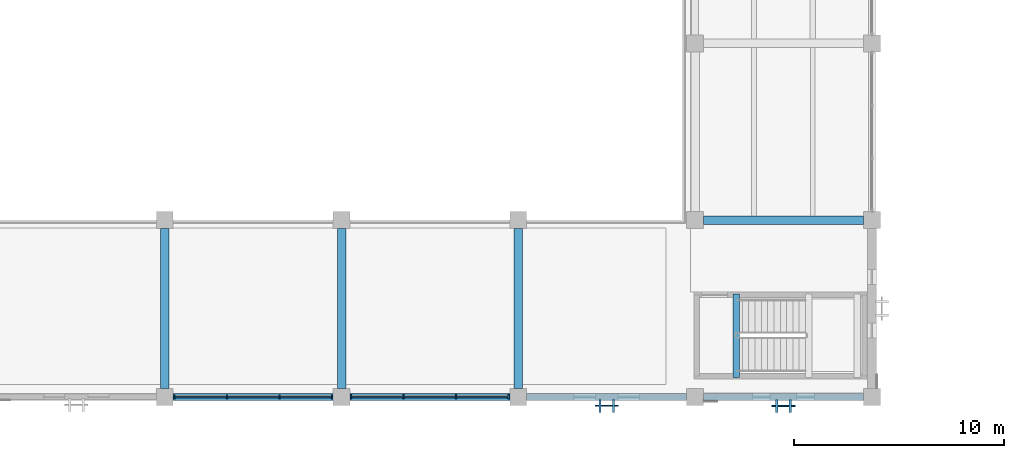
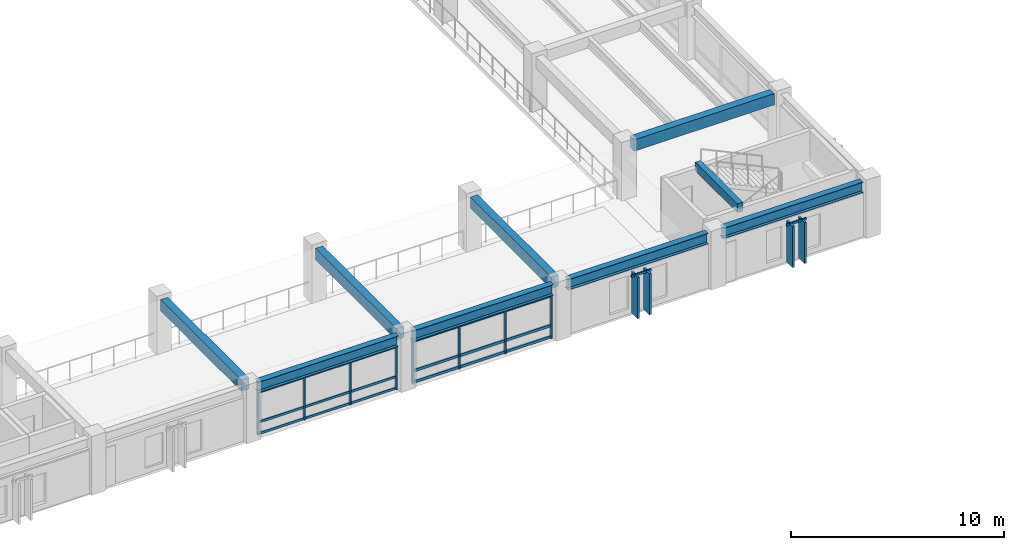
# One storey, part 8 of 111: 32 members, 9 beams, 4 elements without a shape of their own.
"""IFC4 building model written with IfcOpenShell, lengths in metres."""

import ifcopenshell
import ifcopenshell.guid

model = None  # the IFC model being written
_history = None  # IfcOwnerHistory: only IFC2X3 demands one
_inside = {}  # id of a spatial element -> (the spatial element, [elements in it])
_under = {}  # id of a project, library or spatial element -> (it, [spatial elements below it])
_declared = {}  # id of a project -> (the project, [libraries it declares])
_typed = {}  # id of a type object -> (the type object, [elements of that type])
_made_of = {}  # id of a material, layer set ... -> (it, [elements and type objects made of it])


def new_model(schema):
    """Start an empty IFC model of exactly this schema.

    Asked for "IFC4X3", IfcOpenShell would pick the latest addendum, in which some entities
    have other attributes; the version numbers below select the first issue.
    IFC2X3 requires an IfcOwnerHistory on every rooted entity: one is made here for all.
    """
    global model, _history
    if schema == "IFC4X3":
        model = ifcopenshell.file(schema_version=(4, 3, 0, 0))
    else:
        model = ifcopenshell.file(schema=schema)
    _inside.clear()
    _under.clear()
    _declared.clear()
    _typed.clear()
    _made_of.clear()
    _history = None
    if model.schema == "IFC2X3":
        org = make("IfcOrganization", Name="unknown")
        user = make(
            "IfcPersonAndOrganization",
            ThePerson=make("IfcPerson", FamilyName="unknown"),
            TheOrganization=org,
        )
        app = make(
            "IfcApplication",
            ApplicationDeveloper=org,
            Version="unknown",
            ApplicationFullName="unknown",
            ApplicationIdentifier="unknown",
        )
        _history = make(
            "IfcOwnerHistory",
            OwningUser=user,
            OwningApplication=app,
            ChangeAction="ADDED",
            CreationDate=0,
        )
    return model


def make(cls, **values):
    """One entity of the class cls with the attributes given. An attribute that is None is left unset."""
    return model.create_entity(
        cls, **{name: value for name, value in values.items() if value is not None}
    )


def rooted(cls, **values):
    """An entity with a GlobalId (a new one), such as an element, a storey or a relation."""
    return make(cls, GlobalId=ifcopenshell.guid.new(), OwnerHistory=_history, **values)


def si_unit(unit_type, name, prefix=None):
    """IfcSIUnit, for example si_unit("LENGTHUNIT", "METRE", prefix="MILLI")."""
    return make("IfcSIUnit", UnitType=unit_type, Prefix=prefix, Name=name)


def assignment(units):
    """IfcUnitAssignment: the units of a project."""
    return None if units is None else make("IfcUnitAssignment", Units=units)


def point(xyz):
    """IfcCartesianPoint."""
    return None if xyz is None else make("IfcCartesianPoint", Coordinates=xyz)


def direction(xyz):
    """IfcDirection."""
    return None if xyz is None else make("IfcDirection", DirectionRatios=xyz)


def frame(location, z_axis=None, x_axis=None):
    """IfcAxis2Placement3D, a coordinate frame: its origin and axes. An axis left out is left unset."""
    return make(
        "IfcAxis2Placement3D",
        Location=point(location),
        Axis=direction(z_axis),
        RefDirection=direction(x_axis),
    )


def frame_2d(location, x_axis=None):
    """IfcAxis2Placement2D, a coordinate frame in the plane: its origin and x axis."""
    return make(
        "IfcAxis2Placement2D", Location=point(location), RefDirection=direction(x_axis)
    )


def origin():
    """The frame at (0, 0, 0) with its axes left unset."""
    return frame((0.0, 0.0, 0.0))


def origin_2d():
    """The frame at (0, 0) in the plane with its x axis left unset."""
    return frame_2d((0.0, 0.0))


def place(relative_to, where):
    """IfcLocalPlacement: puts the frame where relative to a parent placement (None: the world)."""
    return make(
        "IfcLocalPlacement", PlacementRelTo=relative_to, RelativePlacement=where
    )


def context(
    kind, dimensions, precision=None, world=None, true_north=None, identifier=None
):
    """IfcGeometricRepresentationContext, for example the 3D "Model" context."""
    return make(
        "IfcGeometricRepresentationContext",
        ContextIdentifier=identifier,
        ContextType=kind,
        CoordinateSpaceDimension=dimensions,
        Precision=precision,
        WorldCoordinateSystem=world,
        TrueNorth=true_north,
    )


def subcontext(parent, identifier, kind, view, scale=None):
    """IfcGeometricRepresentationSubContext, for example "Body" below "Model"."""
    return make(
        "IfcGeometricRepresentationSubContext",
        ContextIdentifier=identifier,
        ContextType=kind,
        ParentContext=parent,
        TargetScale=scale,
        TargetView=view,
    )


def project(units=None, contexts=None):
    """IfcProject with its units and contexts."""
    return rooted(
        "IfcProject",
        Name="project",
        RepresentationContexts=contexts,
        UnitsInContext=assignment(units),
    )


def spatial(cls, under=None, at=None, **own):
    """A site, building, storey or space (cls), placed at a placement, below another one or the project."""
    s = rooted(cls, ObjectPlacement=at, **own)
    if under is not None:
        _under.setdefault(under.id(), (under, []))[1].append(s)
    return s


def profile(cls, at=None, kind="AREA", **sizes):
    """A parametric profile (cls). Its sizes go by their IFC names, for example OverallWidth=200.0."""
    return make(cls, ProfileType=kind, Position=at, **sizes)


def rectangle(**sizes):
    """IfcRectangleProfileDef."""
    return profile("IfcRectangleProfileDef", **sizes)


def i_section(**sizes):
    """IfcIShapeProfileDef."""
    return profile("IfcIShapeProfileDef", **sizes)


def extrude(swept, where, along, depth):
    """IfcExtrudedAreaSolid: the profile swept, set in the frame where, extruded along a direction by depth."""
    return make(
        "IfcExtrudedAreaSolid",
        SweptArea=swept,
        Position=where,
        ExtrudedDirection=direction(along),
        Depth=depth,
    )


def shape(context_of_items, identifier, shape_type, items):
    """IfcShapeRepresentation: the items that make up one representation, for example the "Body"."""
    return make(
        "IfcShapeRepresentation",
        ContextOfItems=context_of_items,
        RepresentationIdentifier=identifier,
        RepresentationType=shape_type,
        Items=items,
    )


def material(Name=None, Category=None):
    """IfcMaterial."""
    return make("IfcMaterial", Name=Name, Category=Category)


def material_profile(
    of_material, cross_section, Name=None, Category=None, Priority=None
):
    """IfcMaterialProfile: a cross section and its material."""
    return make(
        "IfcMaterialProfile",
        Name=Name,
        Material=of_material,
        Profile=cross_section,
        Priority=Priority,
        Category=Category,
    )


def profile_set(profiles, Name=None, composite=None):
    """IfcMaterialProfileSet."""
    return make(
        "IfcMaterialProfileSet",
        Name=Name,
        MaterialProfiles=profiles,
        CompositeProfile=composite,
    )


def made_of(thing, what):
    """Note that an element or type object is made of a material, layer set ...; save() writes the relation."""
    if what is not None:
        _made_of.setdefault(what.id(), (what, []))[1].append(thing)
    return thing


def type_object(cls, material=None, **own):
    """A type object (cls), such as IfcWallType, which elements share."""
    return made_of(rooted(cls, **own), material)


def element(
    cls,
    number,
    at=None,
    inside=None,
    cuts=None,
    type_object=None,
    material=None,
    context=None,
    identifier="Body",
    shape_type=None,
    held_by="IfcProductDefinitionShape",
    body=None,
    shapes=None,
    **own,
):
    """One element of the class cls, such as IfcWall. Its Tag is "e" and its number.

    at: its placement. inside: the storey or other place that contains it. cuts: it is an
    opening in that element (IfcRelVoidsElement). A single representation is given by context,
    identifier, shape_type and body (its items); several are given by shapes. held_by: the class
    of the entity that holds the representations. save() writes the other relations.
    """
    e = rooted(cls, Tag="e%d" % number, ObjectPlacement=at, **own)
    if body is not None:
        shapes = [shape(context, identifier, shape_type, body)]
    if shapes is not None:
        e.Representation = make(held_by, Representations=shapes)
    if inside is not None:
        _inside.setdefault(inside.id(), (inside, []))[1].append(e)
    if cuts is not None:
        rooted(
            "IfcRelVoidsElement", RelatingBuildingElement=cuts, RelatedOpeningElement=e
        )
    if type_object is not None:
        _typed.setdefault(type_object.id(), (type_object, []))[1].append(e)
    return made_of(e, material)


def aggregate(whole, parts):
    """IfcRelAggregates: a whole, such as a stair, and the parts it consists of."""
    return rooted("IfcRelAggregates", RelatingObject=whole, RelatedObjects=parts)


def save(model, path):
    """Write the relations noted so far, then the file.

    IfcRelAggregates (storeys below a building ...), IfcRelContainedInSpatialStructure (elements
    in a storey), IfcRelDefinesByType, IfcRelAssociatesMaterial and IfcRelDeclares: one each for
    every whole, place, type object, material and project.
    """
    for whole, parts in _under.values():
        aggregate(whole, parts)
    for where, things in _inside.values():
        rooted(
            "IfcRelContainedInSpatialStructure",
            RelatedElements=things,
            RelatingStructure=where,
        )
    for kind, things in _typed.values():
        rooted("IfcRelDefinesByType", RelatedObjects=things, RelatingType=kind)
    for what, things in _made_of.values():
        rooted("IfcRelAssociatesMaterial", RelatedObjects=things, RelatingMaterial=what)
    for by, libraries in _declared.values():
        rooted("IfcRelDeclares", RelatingContext=by, RelatedDefinitions=libraries)
    model.write(path)


model = new_model("IFC4")

# Units and contexts
model_context = context("Model", 3, precision=1e-05, world=origin(), true_north=direction((0.0, 1.0)))
body_context = subcontext(model_context, "Body", "Model", "MODEL_VIEW")
ifc_project = project(units=[si_unit("LENGTHUNIT", "METRE"), si_unit("AREAUNIT", "SQUARE_METRE"), si_unit("VOLUMEUNIT", "CUBIC_METRE"), si_unit("PLANEANGLEUNIT", "RADIAN"), si_unit("MASSUNIT", "GRAM", prefix="KILO")], contexts=[model_context])

# Site, building, storey
site_placement = place(None, origin())
site = spatial("IfcSite", under=ifc_project, at=site_placement, CompositionType="ELEMENT")
building_placement = place(site_placement, origin())
building = spatial("IfcBuilding", under=site, at=building_placement, Name="Cumbredor Promenade Congress Hotel", CompositionType="ELEMENT")
storey_placement = place(building_placement, frame((0.0, 0.0, 15.1201171875)))
storey = spatial("IfcBuildingStorey", under=building, at=storey_placement, Name="L04", CompositionType="ELEMENT", Elevation=15.1201171875)

# Beams
ifc_material_1 = material(Name="Concrete C40/50", Category="concrete")
ifc_material_profile_1 = material_profile(ifc_material_1, rectangle(XDim=0.39990234375, YDim=0.64990234375, at=origin_2d()), Name="RC BEAM 400x650")
ifc_profile_set_1 = profile_set([ifc_material_profile_1], Name="Concrete C40/50")
beam_type_1 = type_object("IfcBeamType", Name="BM-RC-400x650", PredefinedType="BEAM", material=ifc_profile_set_1)
for number, where, z_axis, x_axis, name in (
    (1, (33.60009765625, 8.800048828125, 2.794921875), (0.0, 1.0, 0.0), (-1.0, 0.0, 0.0), "L05 Y-Grid Beam 056"),
    (2, (42.0, 8.800048828125, 2.794921875), (0.0, 1.0, 0.0), (-1.0, 0.0, 0.0), "L05 Y-Grid Beam 067"),
    (3, (50.39990234375, 8.800048828125, 2.794921875), (0.0, 1.0, 0.0), (-1.0, 0.0, 0.0), "L05 Y-Grid Beam 078"),
):
    element("IfcBeam", number, at=place(storey_placement, frame(where, z_axis=z_axis, x_axis=x_axis)), inside=storey, type_object=beam_type_1, Name=name, PredefinedType="BEAM", context=body_context, shape_type="SweptSolid", body=[
        extrude(rectangle(XDim=0.39990234375, YDim=0.64990234375, at=origin_2d()), origin(), (0.0, 0.0, 1.0), 7.599853515625),
    ])
beam_1_placement = place(storey_placement, frame((59.199951171875, 16.800048828125, 2.794921875), z_axis=(1.0, 0.0, 0.0), x_axis=(0.0, 1.0, 0.0)))
element("IfcBeam", 4, at=beam_1_placement, inside=storey, type_object=beam_type_1, Name="L05 X-Grid Beam 090", PredefinedType="BEAM", context=body_context, shape_type="SweptSolid", body=[
    extrude(rectangle(XDim=0.39990234375, YDim=0.64990234375, at=origin_2d()), origin(), (0.0, 0.0, 1.0), 7.60009765625),
])
ifc_material_2 = material(Name="Steel ASTM A992 Grade 50", Category="steel")
ifc_material_profile_2 = material_profile(ifc_material_2, i_section(OverallWidth=0.323974609375, OverallDepth=0.611083984375, WebThickness=0.0126953125, FlangeThickness=0.01904296875, at=origin_2d()), Name="W24X104")
ifc_profile_set_2 = profile_set([ifc_material_profile_2], Name="Steel ASTM A992 Grade 50")
beam_type_2 = type_object("IfcBeamType", Name="BM-W24X104", PredefinedType="BEAM", material=ifc_profile_set_2)
for number, where, z_axis, x_axis, name in (
    (5, (34.0, 8.39990234375, 2.814453125), (1.0, 0.0, 0.0), (0.0, 1.0, 0.0), "L05 X-Grid Beam 055"),
    (6, (42.39990234375, 8.39990234375, 2.814453125), (1.0, 0.0, 0.0), (0.0, 1.0, 0.0), "L05 X-Grid Beam 066"),
):
    element("IfcBeam", number, at=place(storey_placement, frame(where, z_axis=z_axis, x_axis=x_axis)), inside=storey, type_object=beam_type_2, Name=name, PredefinedType="BEAM", context=body_context, shape_type="SweptSolid", body=[
        extrude(i_section(OverallWidth=0.323974609375, OverallDepth=0.611083984375, WebThickness=0.0126953125, FlangeThickness=0.01904296875, at=origin_2d()), origin(), (0.0, 0.0, 1.0), 7.60009765625),
    ])
beam_2_placement = place(storey_placement, frame((50.800048828125, 8.39990234375, 2.814453125), z_axis=(1.0, 0.0, 0.0), x_axis=(0.0, 1.0, 0.0)))
element("IfcBeam", 7, at=beam_2_placement, inside=storey, type_object=beam_type_2, Name="L05 X-Grid Beam 077", PredefinedType="BEAM", context=body_context, shape_type="SweptSolid", body=[
    extrude(i_section(OverallWidth=0.323974609375, OverallDepth=0.611083984375, WebThickness=0.0126953125, FlangeThickness=0.01904296875, at=origin_2d()), origin(), (0.0, 0.0, 1.0), 7.599853515625),
])
beam_3_placement = place(storey_placement, frame((59.199951171875, 8.39990234375, 2.814453125), z_axis=(1.0, 0.0, 0.0), x_axis=(0.0, 1.0, 0.0)))
element("IfcBeam", 8, at=beam_3_placement, inside=storey, type_object=beam_type_2, Name="L05 X-Grid Beam 089", PredefinedType="BEAM", context=body_context, shape_type="SweptSolid", body=[
    extrude(i_section(OverallWidth=0.323974609375, OverallDepth=0.611083984375, WebThickness=0.0126953125, FlangeThickness=0.01904296875, at=origin_2d()), origin(), (0.0, 0.0, 1.0), 7.60009765625),
])

# Curtain wall, members
ifc_material_3 = material(Name="Thermally broken anodized aluminium and low-E glass", Category="aluminium")
curtain_wall_type_1 = type_object("IfcCurtainWallType", Name="Unitised Bronze Curtain Wall CW-01", PredefinedType="NOTDEFINED", material=ifc_material_3)
curtain_wall_1_placement = place(storey_placement, origin())
curtain_wall_1 = element("IfcCurtainWall", 9, at=curtain_wall_1_placement, inside=storey, type_object=curtain_wall_type_1, Name="L04 Plenary Congress Hall South Curtain Wall 4", PredefinedType="NOTDEFINED")
ifc_material_4 = material(Name="Thermally broken anodized aluminium", Category="aluminium")
ifc_material_profile_3 = material_profile(ifc_material_4, rectangle(XDim=0.06494140625, YDim=0.159912109375, at=origin_2d()), Name="ALU MULLION 65x160")
ifc_profile_set_3 = profile_set([ifc_material_profile_3], Name="Thermally broken anodized aluminium")
member_type_1 = type_object("IfcMemberType", Name="Curtain Wall Mullion ML-01", PredefinedType="MULLION", material=ifc_profile_set_3)
member_1_placement = place(storey_placement, frame((34.054931640625, 8.39990234375, -0.008056640625), z_axis=(0.0, 0.0, 1.0), x_axis=(1.0, 0.0, 0.0)))
member_1 = element("IfcMember", 10, at=member_1_placement, type_object=member_type_1, Name="L04 Plenary Congress Hall South Curtain Wall 4 Mullion 1", PredefinedType="MULLION", context=body_context, shape_type="SweptSolid", body=[
    extrude(rectangle(XDim=0.06494140625, YDim=0.159912109375, at=origin_2d()), origin(), (0.0, 0.0, 1.0), 2.510009765625),
])
member_2_placement = place(storey_placement, frame((36.5517578125, 8.39990234375, -0.008056640625), z_axis=(0.0, 0.0, 1.0), x_axis=(1.0, 0.0, 0.0)))
member_2 = element("IfcMember", 11, at=member_2_placement, type_object=member_type_1, Name="L04 Plenary Congress Hall South Curtain Wall 4 Mullion 2", PredefinedType="MULLION", context=body_context, shape_type="SweptSolid", body=[
    extrude(rectangle(XDim=0.06494140625, YDim=0.159912109375, at=origin_2d()), origin(), (0.0, 0.0, 1.0), 2.510009765625),
])
member_3_placement = place(storey_placement, frame((39.04833984375, 8.39990234375, -0.008056640625), z_axis=(0.0, 0.0, 1.0), x_axis=(1.0, 0.0, 0.0)))
member_3 = element("IfcMember", 12, at=member_3_placement, type_object=member_type_1, Name="L04 Plenary Congress Hall South Curtain Wall 4 Mullion 3", PredefinedType="MULLION", context=body_context, shape_type="SweptSolid", body=[
    extrude(rectangle(XDim=0.06494140625, YDim=0.159912109375, at=origin_2d()), origin(), (0.0, 0.0, 1.0), 2.510009765625),
])
member_4_placement = place(storey_placement, frame((41.544921875, 8.39990234375, -0.008056640625), z_axis=(0.0, 0.0, 1.0), x_axis=(1.0, 0.0, 0.0)))
member_4 = element("IfcMember", 13, at=member_4_placement, type_object=member_type_1, Name="L04 Plenary Congress Hall South Curtain Wall 4 Mullion 4", PredefinedType="MULLION", context=body_context, shape_type="SweptSolid", body=[
    extrude(rectangle(XDim=0.06494140625, YDim=0.159912109375, at=origin_2d()), origin(), (0.0, 0.0, 1.0), 2.510009765625),
])

curtain_wall_2_placement = place(storey_placement, origin())
curtain_wall_2 = element("IfcCurtainWall", 14, at=curtain_wall_2_placement, inside=storey, type_object=curtain_wall_type_1, Name="L04 Plenary Congress Hall South Curtain Wall 5", PredefinedType="NOTDEFINED")
ifc_material_profile_4 = material_profile(ifc_material_4, rectangle(XDim=0.074951171875, YDim=0.199951171875, at=origin_2d()), Name="ALU MULLION 75x200")
ifc_profile_set_4 = profile_set([ifc_material_profile_4], Name="Thermally broken anodized aluminium")
member_type_2 = type_object("IfcMemberType", Name="Curtain Wall Mullion ML-02", PredefinedType="MULLION", material=ifc_profile_set_4)
member_5_placement = place(storey_placement, frame((42.455078125, 8.39990234375, -0.008056640625), z_axis=(0.0, 0.0, 1.0), x_axis=(1.0, 0.0, 0.0)))
member_5 = element("IfcMember", 15, at=member_5_placement, type_object=member_type_2, Name="L04 Plenary Congress Hall South Curtain Wall 5 Mullion 1", PredefinedType="MULLION", context=body_context, shape_type="SweptSolid", body=[
    extrude(rectangle(XDim=0.074951171875, YDim=0.199951171875, at=origin_2d()), origin(), (0.0, 0.0, 1.0), 2.510009765625),
])
member_6_placement = place(storey_placement, frame((44.95166015625, 8.39990234375, -0.008056640625), z_axis=(0.0, 0.0, 1.0), x_axis=(1.0, 0.0, 0.0)))
member_6 = element("IfcMember", 16, at=member_6_placement, type_object=member_type_2, Name="L04 Plenary Congress Hall South Curtain Wall 5 Mullion 2", PredefinedType="MULLION", context=body_context, shape_type="SweptSolid", body=[
    extrude(rectangle(XDim=0.074951171875, YDim=0.199951171875, at=origin_2d()), origin(), (0.0, 0.0, 1.0), 2.510009765625),
])
member_7_placement = place(storey_placement, frame((47.4482421875, 8.39990234375, -0.008056640625), z_axis=(0.0, 0.0, 1.0), x_axis=(1.0, 0.0, 0.0)))
member_7 = element("IfcMember", 17, at=member_7_placement, type_object=member_type_2, Name="L04 Plenary Congress Hall South Curtain Wall 5 Mullion 3", PredefinedType="MULLION", context=body_context, shape_type="SweptSolid", body=[
    extrude(rectangle(XDim=0.074951171875, YDim=0.199951171875, at=origin_2d()), origin(), (0.0, 0.0, 1.0), 2.510009765625),
])
member_8_placement = place(storey_placement, frame((49.945068359375, 8.39990234375, -0.008056640625), z_axis=(0.0, 0.0, 1.0), x_axis=(1.0, 0.0, 0.0)))
member_8 = element("IfcMember", 18, at=member_8_placement, type_object=member_type_2, Name="L04 Plenary Congress Hall South Curtain Wall 5 Mullion 4", PredefinedType="MULLION", context=body_context, shape_type="SweptSolid", body=[
    extrude(rectangle(XDim=0.074951171875, YDim=0.199951171875, at=origin_2d()), origin(), (0.0, 0.0, 1.0), 2.510009765625),
])

# Member
ifc_material_profile_5 = material_profile(ifc_material_4, rectangle(XDim=0.06494140625, YDim=0.1298828125, at=origin_2d()), Name="ALU TRANSOM 65x130")
ifc_profile_set_5 = profile_set([ifc_material_profile_5], Name="Thermally broken anodized aluminium")
member_type_3 = type_object("IfcMemberType", Name="Curtain Wall Transom TR-01", PredefinedType="USERDEFINED", material=ifc_profile_set_5)
member_9_placement = place(storey_placement, frame((34.08740234375, 8.39990234375, 0.059814453125), z_axis=(1.0, 0.0, 0.0), x_axis=(0.0, 1.0, 0.0)))
member_9 = element("IfcMember", 19, at=member_9_placement, type_object=member_type_3, Name="L04 Plenary Congress Hall South Curtain Wall 4 Transom 1.1", ObjectType="TRANSOM", PredefinedType="USERDEFINED", context=body_context, shape_type="SweptSolid", body=[
    extrude(rectangle(XDim=0.06494140625, YDim=0.1298828125, at=origin_2d()), origin(), (0.0, 0.0, 1.0), 2.431884765625),
])

member_10_placement = place(storey_placement, frame((34.08740234375, 8.39990234375, 0.719970703125), z_axis=(1.0, 0.0, 0.0), x_axis=(0.0, 1.0, 0.0)))
member_10 = element("IfcMember", 20, at=member_10_placement, type_object=member_type_3, Name="L04 Plenary Congress Hall South Curtain Wall 4 Transom 1.2", ObjectType="TRANSOM", PredefinedType="USERDEFINED", context=body_context, shape_type="SweptSolid", body=[
    extrude(rectangle(XDim=0.06494140625, YDim=0.1298828125, at=origin_2d()), origin(), (0.0, 0.0, 1.0), 2.431884765625),
])

member_11_placement = place(storey_placement, frame((34.08740234375, 8.39990234375, 2.429931640625), z_axis=(1.0, 0.0, 0.0), x_axis=(0.0, 1.0, 0.0)))
member_11 = element("IfcMember", 21, at=member_11_placement, type_object=member_type_3, Name="L04 Plenary Congress Hall South Curtain Wall 4 Transom 1.3", ObjectType="TRANSOM", PredefinedType="USERDEFINED", context=body_context, shape_type="SweptSolid", body=[
    extrude(rectangle(XDim=0.06494140625, YDim=0.1298828125, at=origin_2d()), origin(), (0.0, 0.0, 1.0), 2.431884765625),
])

member_12_placement = place(storey_placement, frame((36.584228515625, 8.39990234375, 0.059814453125), z_axis=(1.0, 0.0, 0.0), x_axis=(0.0, 1.0, 0.0)))
member_12 = element("IfcMember", 22, at=member_12_placement, type_object=member_type_3, Name="L04 Plenary Congress Hall South Curtain Wall 4 Transom 2.1", ObjectType="TRANSOM", PredefinedType="USERDEFINED", context=body_context, shape_type="SweptSolid", body=[
    extrude(rectangle(XDim=0.06494140625, YDim=0.1298828125, at=origin_2d()), origin(), (0.0, 0.0, 1.0), 2.431640625),
])

member_13_placement = place(storey_placement, frame((36.584228515625, 8.39990234375, 0.719970703125), z_axis=(1.0, 0.0, 0.0), x_axis=(0.0, 1.0, 0.0)))
member_13 = element("IfcMember", 23, at=member_13_placement, type_object=member_type_3, Name="L04 Plenary Congress Hall South Curtain Wall 4 Transom 2.2", ObjectType="TRANSOM", PredefinedType="USERDEFINED", context=body_context, shape_type="SweptSolid", body=[
    extrude(rectangle(XDim=0.06494140625, YDim=0.1298828125, at=origin_2d()), origin(), (0.0, 0.0, 1.0), 2.431640625),
])

member_14_placement = place(storey_placement, frame((36.584228515625, 8.39990234375, 2.429931640625), z_axis=(1.0, 0.0, 0.0), x_axis=(0.0, 1.0, 0.0)))
member_14 = element("IfcMember", 24, at=member_14_placement, type_object=member_type_3, Name="L04 Plenary Congress Hall South Curtain Wall 4 Transom 2.3", ObjectType="TRANSOM", PredefinedType="USERDEFINED", context=body_context, shape_type="SweptSolid", body=[
    extrude(rectangle(XDim=0.06494140625, YDim=0.1298828125, at=origin_2d()), origin(), (0.0, 0.0, 1.0), 2.431640625),
])

member_15_placement = place(storey_placement, frame((39.080810546875, 8.39990234375, 0.059814453125), z_axis=(1.0, 0.0, 0.0), x_axis=(0.0, 1.0, 0.0)))
member_15 = element("IfcMember", 25, at=member_15_placement, type_object=member_type_3, Name="L04 Plenary Congress Hall South Curtain Wall 4 Transom 3.1", ObjectType="TRANSOM", PredefinedType="USERDEFINED", context=body_context, shape_type="SweptSolid", body=[
    extrude(rectangle(XDim=0.06494140625, YDim=0.1298828125, at=origin_2d()), origin(), (0.0, 0.0, 1.0), 2.431640625),
])

member_16_placement = place(storey_placement, frame((39.080810546875, 8.39990234375, 0.719970703125), z_axis=(1.0, 0.0, 0.0), x_axis=(0.0, 1.0, 0.0)))
member_16 = element("IfcMember", 26, at=member_16_placement, type_object=member_type_3, Name="L04 Plenary Congress Hall South Curtain Wall 4 Transom 3.2", ObjectType="TRANSOM", PredefinedType="USERDEFINED", context=body_context, shape_type="SweptSolid", body=[
    extrude(rectangle(XDim=0.06494140625, YDim=0.1298828125, at=origin_2d()), origin(), (0.0, 0.0, 1.0), 2.431640625),
])

member_17_placement = place(storey_placement, frame((39.080810546875, 8.39990234375, 2.429931640625), z_axis=(1.0, 0.0, 0.0), x_axis=(0.0, 1.0, 0.0)))
member_17 = element("IfcMember", 27, at=member_17_placement, type_object=member_type_3, Name="L04 Plenary Congress Hall South Curtain Wall 4 Transom 3.3", ObjectType="TRANSOM", PredefinedType="USERDEFINED", context=body_context, shape_type="SweptSolid", body=[
    extrude(rectangle(XDim=0.06494140625, YDim=0.1298828125, at=origin_2d()), origin(), (0.0, 0.0, 1.0), 2.431640625),
])

aggregate(curtain_wall_1, [member_1, member_2, member_3, member_4, member_9, member_10, member_11, member_12, member_13, member_14, member_15, member_16, member_17])

# Curtain wall, member
curtain_wall_type_2 = type_object("IfcCurtainWallType", Name="Solar Brise-Soleil Screen Assembly CW-07", PredefinedType="NOTDEFINED", material=ifc_material_3)
curtain_wall_3_placement = place(storey_placement, origin())
curtain_wall_3 = element("IfcCurtainWall", 28, at=curtain_wall_3_placement, inside=storey, type_object=curtain_wall_type_2, Name="L04 Pier Brise-Soleil Screen 0703", PredefinedType="NOTDEFINED")
member_18_placement = place(storey_placement, frame((54.050048828125, 7.9775390625, 2.333984375), z_axis=(1.0, 0.0, 0.0), x_axis=(0.0, 1.0, 0.0)))
member_18 = element("IfcMember", 29, at=member_18_placement, type_object=member_type_3, Name="L04 Pier Brise-Soleil Header 0705", ObjectType="TRANSOM", PredefinedType="USERDEFINED", context=body_context, shape_type="SweptSolid", body=[
    extrude(rectangle(XDim=0.06494140625, YDim=0.1298828125, at=origin_2d()), origin(), (0.0, 0.0, 1.0), 1.099853515625),
])

curtain_wall_4_placement = place(storey_placement, origin())
curtain_wall_4 = element("IfcCurtainWall", 30, at=curtain_wall_4_placement, inside=storey, type_object=curtain_wall_type_2, Name="L04 Pier Brise-Soleil Screen 0706", PredefinedType="NOTDEFINED")
member_19_placement = place(storey_placement, frame((62.449951171875, 7.965087890625, 2.333984375), z_axis=(1.0, 0.0, 0.0), x_axis=(0.0, 1.0, 0.0)))
member_19 = element("IfcMember", 31, at=member_19_placement, type_object=member_type_3, Name="L04 Pier Brise-Soleil Header 0708", ObjectType="TRANSOM", PredefinedType="USERDEFINED", context=body_context, shape_type="SweptSolid", body=[
    extrude(rectangle(XDim=0.06494140625, YDim=0.1298828125, at=origin_2d()), origin(), (0.0, 0.0, 1.0), 1.10009765625),
])

# Member
ifc_material_profile_6 = material_profile(ifc_material_4, rectangle(XDim=0.074951171875, YDim=0.14990234375, at=origin_2d()), Name="ALU TRANSOM 75x150")
ifc_profile_set_6 = profile_set([ifc_material_profile_6], Name="Thermally broken anodized aluminium")
member_type_4 = type_object("IfcMemberType", Name="Curtain Wall Transom TR-02", PredefinedType="USERDEFINED", material=ifc_profile_set_6)
member_20_placement = place(storey_placement, frame((42.492431640625, 8.39990234375, 0.06982421875), z_axis=(1.0, 0.0, 0.0), x_axis=(0.0, 1.0, 0.0)))
member_20 = element("IfcMember", 32, at=member_20_placement, type_object=member_type_4, Name="L04 Plenary Congress Hall South Curtain Wall 5 Transom 1.1", ObjectType="TRANSOM", PredefinedType="USERDEFINED", context=body_context, shape_type="SweptSolid", body=[
    extrude(rectangle(XDim=0.074951171875, YDim=0.14990234375, at=origin_2d()), origin(), (0.0, 0.0, 1.0), 2.421875),
])

member_21_placement = place(storey_placement, frame((42.492431640625, 8.39990234375, 0.719970703125), z_axis=(1.0, 0.0, 0.0), x_axis=(0.0, 1.0, 0.0)))
member_21 = element("IfcMember", 33, at=member_21_placement, type_object=member_type_4, Name="L04 Plenary Congress Hall South Curtain Wall 5 Transom 1.2", ObjectType="TRANSOM", PredefinedType="USERDEFINED", context=body_context, shape_type="SweptSolid", body=[
    extrude(rectangle(XDim=0.074951171875, YDim=0.14990234375, at=origin_2d()), origin(), (0.0, 0.0, 1.0), 2.421875),
])

member_22_placement = place(storey_placement, frame((42.492431640625, 8.39990234375, 2.419921875), z_axis=(1.0, 0.0, 0.0), x_axis=(0.0, 1.0, 0.0)))
member_22 = element("IfcMember", 34, at=member_22_placement, type_object=member_type_4, Name="L04 Plenary Congress Hall South Curtain Wall 5 Transom 1.3", ObjectType="TRANSOM", PredefinedType="USERDEFINED", context=body_context, shape_type="SweptSolid", body=[
    extrude(rectangle(XDim=0.074951171875, YDim=0.14990234375, at=origin_2d()), origin(), (0.0, 0.0, 1.0), 2.421875),
])

member_23_placement = place(storey_placement, frame((44.9892578125, 8.39990234375, 0.06982421875), z_axis=(1.0, 0.0, 0.0), x_axis=(0.0, 1.0, 0.0)))
member_23 = element("IfcMember", 35, at=member_23_placement, type_object=member_type_4, Name="L04 Plenary Congress Hall South Curtain Wall 5 Transom 2.1", ObjectType="TRANSOM", PredefinedType="USERDEFINED", context=body_context, shape_type="SweptSolid", body=[
    extrude(rectangle(XDim=0.074951171875, YDim=0.14990234375, at=origin_2d()), origin(), (0.0, 0.0, 1.0), 2.421630859375),
])

member_24_placement = place(storey_placement, frame((44.9892578125, 8.39990234375, 0.719970703125), z_axis=(1.0, 0.0, 0.0), x_axis=(0.0, 1.0, 0.0)))
member_24 = element("IfcMember", 36, at=member_24_placement, type_object=member_type_4, Name="L04 Plenary Congress Hall South Curtain Wall 5 Transom 2.2", ObjectType="TRANSOM", PredefinedType="USERDEFINED", context=body_context, shape_type="SweptSolid", body=[
    extrude(rectangle(XDim=0.074951171875, YDim=0.14990234375, at=origin_2d()), origin(), (0.0, 0.0, 1.0), 2.421630859375),
])

member_25_placement = place(storey_placement, frame((44.9892578125, 8.39990234375, 2.419921875), z_axis=(1.0, 0.0, 0.0), x_axis=(0.0, 1.0, 0.0)))
member_25 = element("IfcMember", 37, at=member_25_placement, type_object=member_type_4, Name="L04 Plenary Congress Hall South Curtain Wall 5 Transom 2.3", ObjectType="TRANSOM", PredefinedType="USERDEFINED", context=body_context, shape_type="SweptSolid", body=[
    extrude(rectangle(XDim=0.074951171875, YDim=0.14990234375, at=origin_2d()), origin(), (0.0, 0.0, 1.0), 2.421630859375),
])

member_26_placement = place(storey_placement, frame((47.48583984375, 8.39990234375, 0.06982421875), z_axis=(1.0, 0.0, 0.0), x_axis=(0.0, 1.0, 0.0)))
member_26 = element("IfcMember", 38, at=member_26_placement, type_object=member_type_4, Name="L04 Plenary Congress Hall South Curtain Wall 5 Transom 3.1", ObjectType="TRANSOM", PredefinedType="USERDEFINED", context=body_context, shape_type="SweptSolid", body=[
    extrude(rectangle(XDim=0.074951171875, YDim=0.14990234375, at=origin_2d()), origin(), (0.0, 0.0, 1.0), 2.421630859375),
])

member_27_placement = place(storey_placement, frame((47.48583984375, 8.39990234375, 0.719970703125), z_axis=(1.0, 0.0, 0.0), x_axis=(0.0, 1.0, 0.0)))
member_27 = element("IfcMember", 39, at=member_27_placement, type_object=member_type_4, Name="L04 Plenary Congress Hall South Curtain Wall 5 Transom 3.2", ObjectType="TRANSOM", PredefinedType="USERDEFINED", context=body_context, shape_type="SweptSolid", body=[
    extrude(rectangle(XDim=0.074951171875, YDim=0.14990234375, at=origin_2d()), origin(), (0.0, 0.0, 1.0), 2.421630859375),
])

member_28_placement = place(storey_placement, frame((47.48583984375, 8.39990234375, 2.419921875), z_axis=(1.0, 0.0, 0.0), x_axis=(0.0, 1.0, 0.0)))
member_28 = element("IfcMember", 40, at=member_28_placement, type_object=member_type_4, Name="L04 Plenary Congress Hall South Curtain Wall 5 Transom 3.3", ObjectType="TRANSOM", PredefinedType="USERDEFINED", context=body_context, shape_type="SweptSolid", body=[
    extrude(rectangle(XDim=0.074951171875, YDim=0.14990234375, at=origin_2d()), origin(), (0.0, 0.0, 1.0), 2.421630859375),
])

aggregate(curtain_wall_2, [member_5, member_6, member_7, member_8, member_20, member_21, member_22, member_23, member_24, member_25, member_26, member_27, member_28])

# Beam
ifc_material_profile_7 = material_profile(ifc_material_1, rectangle(XDim=0.300048828125, YDim=0.5, at=origin_2d()), Name="RC LINTEL 300x500")
ifc_profile_set_7 = profile_set([ifc_material_profile_7], Name="Concrete C40/50")
beam_type_3 = type_object("IfcBeamType", Name="LN-RC-300x500", PredefinedType="LINTEL", material=ifc_profile_set_7)
beam_4_placement = place(storey_placement, frame((60.75, 9.330078125, 3.10986328125), z_axis=(0.0, 1.0, 0.0), x_axis=(-1.0, 0.0, 0.0)))
element("IfcBeam", 41, at=beam_4_placement, inside=storey, type_object=beam_type_3, Name="L05 Stair ST-05 Well Header Trimmer Beam", PredefinedType="LINTEL", context=body_context, shape_type="SweptSolid", body=[
    extrude(rectangle(XDim=0.300048828125, YDim=0.5, at=origin_2d()), origin(), (0.0, 0.0, 1.0), 3.969970703125),
])

# Member
ifc_material_profile_8 = material_profile(ifc_material_4, rectangle(XDim=0.110107421875, YDim=0.6201171875, at=origin_2d()), Name="ARCH FIN 110x620")
ifc_profile_set_8 = profile_set([ifc_material_profile_8], Name="Thermally broken anodized aluminium")
member_type_5 = type_object("IfcMemberType", Name="Vertical Bronze Brise-Soleil Fin BSF-02 110x620", PredefinedType="USERDEFINED", material=ifc_profile_set_8)
member_29_placement = place(storey_placement, frame((54.280029296875, 7.9775390625, 0.019775390625), z_axis=(0.0, 0.0, 1.0), x_axis=(1.0, 0.0, 0.0)))
member_29 = element("IfcMember", 42, at=member_29_placement, type_object=member_type_5, Name="L04 Pier Brise-Soleil Fin 0704", ObjectType="SOLAR FIN", PredefinedType="USERDEFINED", context=body_context, shape_type="SweptSolid", body=[
    extrude(rectangle(XDim=0.110107421875, YDim=0.6201171875, at=origin_2d()), origin(), (0.0, 0.0, 1.0), 2.35400390625),
])

member_30_placement = place(storey_placement, frame((54.919921875, 7.9775390625, 0.019775390625), z_axis=(0.0, 0.0, 1.0), x_axis=(1.0, 0.0, 0.0)))
member_30 = element("IfcMember", 43, at=member_30_placement, type_object=member_type_5, Name="L04 Pier Brise-Soleil Fin 0705", ObjectType="SOLAR FIN", PredefinedType="USERDEFINED", context=body_context, shape_type="SweptSolid", body=[
    extrude(rectangle(XDim=0.110107421875, YDim=0.6201171875, at=origin_2d()), origin(), (0.0, 0.0, 1.0), 2.35400390625),
])

aggregate(curtain_wall_3, [member_29, member_30, member_18])

member_31_placement = place(storey_placement, frame((62.679931640625, 7.965087890625, 0.019775390625), z_axis=(0.0, 0.0, 1.0), x_axis=(1.0, 0.0, 0.0)))
member_31 = element("IfcMember", 44, at=member_31_placement, type_object=member_type_5, Name="L04 Pier Brise-Soleil Fin 0707", ObjectType="SOLAR FIN", PredefinedType="USERDEFINED", context=body_context, shape_type="SweptSolid", body=[
    extrude(rectangle(XDim=0.110107421875, YDim=0.6201171875, at=origin_2d()), origin(), (0.0, 0.0, 1.0), 2.35400390625),
])

member_32_placement = place(storey_placement, frame((63.320068359375, 7.965087890625, 0.019775390625), z_axis=(0.0, 0.0, 1.0), x_axis=(1.0, 0.0, 0.0)))
member_32 = element("IfcMember", 45, at=member_32_placement, type_object=member_type_5, Name="L04 Pier Brise-Soleil Fin 0708", ObjectType="SOLAR FIN", PredefinedType="USERDEFINED", context=body_context, shape_type="SweptSolid", body=[
    extrude(rectangle(XDim=0.110107421875, YDim=0.6201171875, at=origin_2d()), origin(), (0.0, 0.0, 1.0), 2.35400390625),
])

aggregate(curtain_wall_4, [member_31, member_32, member_19])

save(model, "model.ifc")
